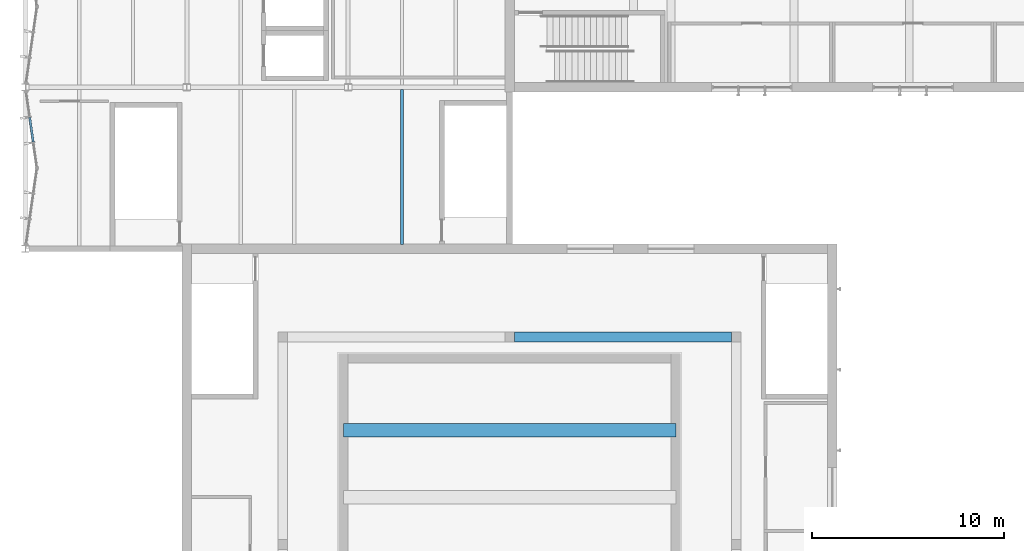
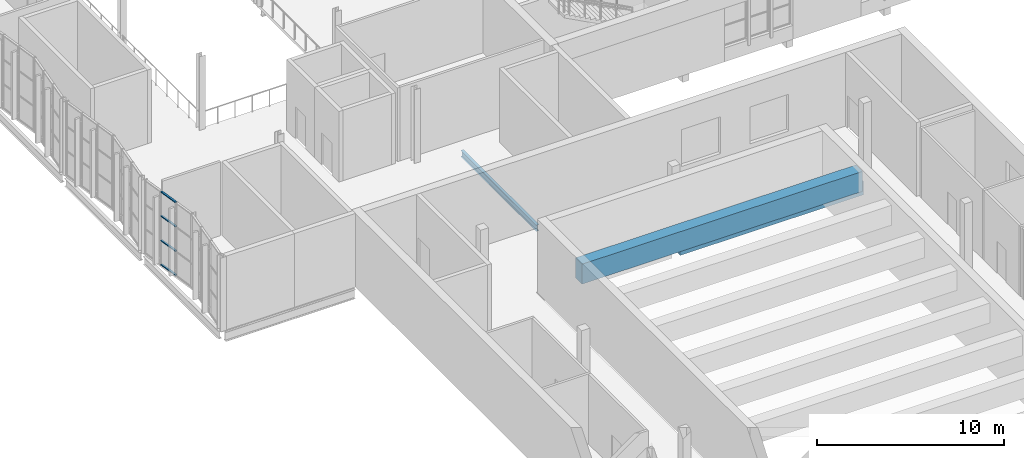
# One storey, part 19 of 116: 4 members, 3 beams, 1 element without a shape of its own.
"""IFC4 building model written with IfcOpenShell, lengths in metres."""

from ifc_helpers import new_model, si_unit, direction, frame, origin, origin_2d, place, context, subcontext, project, spatial, rectangle, i_section, extrude, material, material_profile, profile_set, type_object, element, aggregate, save


model = new_model("IFC4")

# Units and contexts
model_context = context("Model", 3, precision=1e-05, world=origin(), true_north=direction((0.0, 1.0)))
body_context = subcontext(model_context, "Body", "Model", "MODEL_VIEW")
ifc_project = project(units=[si_unit("LENGTHUNIT", "METRE"), si_unit("AREAUNIT", "SQUARE_METRE"), si_unit("VOLUMEUNIT", "CUBIC_METRE"), si_unit("PLANEANGLEUNIT", "RADIAN"), si_unit("MASSUNIT", "GRAM", prefix="KILO")], contexts=[model_context])

# Site, building, storey
site_placement = place(None, origin())
site = spatial("IfcSite", under=ifc_project, at=site_placement, CompositionType="ELEMENT")
building_placement = place(site_placement, origin())
building = spatial("IfcBuilding", under=site, at=building_placement, Name="Ljudholm Concert House", CompositionType="ELEMENT")
storey_placement = place(building_placement, frame((0.0, 0.0, 10.199951171875)))
storey = spatial("IfcBuildingStorey", under=building, at=storey_placement, Name="L02", CompositionType="ELEMENT", Elevation=10.199951171875)

# Beams
ifc_material_1 = material(Name="Concrete 6,500 psi", Category="concrete")
ifc_material_profile_1 = material_profile(ifc_material_1, rectangle(XDim=0.5, YDim=0.89990234375, at=origin_2d()), Name="RC BEAM 500x900")
ifc_profile_set_1 = profile_set([ifc_material_profile_1], Name="Concrete 6,500 psi")
beam_type_1 = type_object("IfcBeamType", Name="RC BEAM 500x900", PredefinedType="BEAM", material=ifc_profile_set_1)
beam_1_placement = place(storey_placement, frame((29.449951171875, 41.39990234375, -0.699951171875), z_axis=(1.0, 0.0, 0.0), x_axis=(0.0, 1.0, 0.0)))
element("IfcBeam", 1, at=beam_1_placement, inside=storey, type_object=beam_type_1, Name="Ring beam", PredefinedType="BEAM", context=body_context, shape_type="SweptSolid", body=[
    extrude(rectangle(XDim=0.5, YDim=0.89990234375, at=origin_2d()), origin(), (0.0, 0.0, 1.0), 11.300048828125),
])
ifc_material_2 = material(Name="Concrete 6,500 psi", Category="concrete")
ifc_material_profile_2 = material_profile(ifc_material_2, rectangle(XDim=0.699951171875, YDim=1.300048828125, at=origin_2d()), Name="RC BEAM 700x1300 BEAM")
ifc_profile_set_2 = profile_set([ifc_material_profile_2], Name="Concrete 6,500 psi")
beam_type_2 = type_object("IfcBeamType", Name="RC BEAM 700x1300 BEAM", PredefinedType="BEAM", material=ifc_profile_set_2)
beam_2_placement = place(storey_placement, frame((20.550048828125, 36.550048828125, 3.75), z_axis=(1.0, 0.0, 0.0), x_axis=(0.0, 1.0, 0.0)))
element("IfcBeam", 2, at=beam_2_placement, inside=storey, type_object=beam_type_2, Name="Post-tensioned roof girder", PredefinedType="BEAM", context=body_context, shape_type="SweptSolid", body=[
    extrude(rectangle(XDim=0.699951171875, YDim=1.300048828125, at=origin_2d()), origin(), (0.0, 0.0, 1.0), 17.300048828125),
])
ifc_material_3 = material(Name="Steel ASTM A992", Category="steel")
ifc_material_profile_3 = material_profile(ifc_material_3, i_section(OverallWidth=0.177734375, OverallDepth=0.406494140625, WebThickness=0.0078125, FlangeThickness=0.012939453125, FilletRadius=0.01025390625, at=origin_2d()), Name="W16X40")
ifc_profile_set_3 = profile_set([ifc_material_profile_3], Name="Steel ASTM A992")
beam_type_3 = type_object("IfcBeamType", Name="STEEL BEAM W16X40", PredefinedType="BEAM", material=ifc_profile_set_3)
beam_3_placement = place(storey_placement, frame((23.60009765625, 46.22509765625, -0.383056640625), z_axis=(0.0, 1.0, 0.0), x_axis=(-1.0, 0.0, 0.0)))
element("IfcBeam", 3, at=beam_3_placement, inside=storey, type_object=beam_type_3, Name="Secondary beam", PredefinedType="BEAM", context=body_context, shape_type="SweptSolid", body=[
    extrude(i_section(OverallWidth=0.177734375, OverallDepth=0.406494140625, WebThickness=0.0078125, FlangeThickness=0.012939453125, FilletRadius=0.01025390625, at=origin_2d()), origin(), (0.0, 0.0, 1.0), 8.060302734375),
])

# Curtain wall, members
ifc_material_4 = material(Name="Aluminium curtain wall with impact-rated laminated glass", Category="aluminium")
curtain_wall_type = type_object("IfcCurtainWallType", Name="CURTAIN WALL 1400", PredefinedType="NOTDEFINED", material=ifc_material_4)
curtain_wall_placement = place(storey_placement, origin())
curtain_wall = element("IfcCurtainWall", 4, at=curtain_wall_placement, inside=storey, type_object=curtain_wall_type, Name="Facade curtain wall", PredefinedType="NOTDEFINED")
ifc_material_5 = material(Name="Aluminium extrusion", Category="aluminium")
ifc_material_profile_4 = material_profile(ifc_material_5, rectangle(XDim=0.1201171875, YDim=0.06005859375, at=origin_2d()), Name="TRANSOM 60x120")
ifc_profile_set_4 = profile_set([ifc_material_profile_4], Name="Aluminium extrusion")
member_type = type_object("IfcMemberType", Name="TRANSOM 60x120", PredefinedType="USERDEFINED", material=ifc_profile_set_4)
member_1_placement = place(storey_placement, frame((4.40625, 51.55712890625, 0.030029296875), z_axis=(-0.141421356237, 0.989949493661, 0.0), x_axis=(-0.989949493661, -0.141421356237, 0.0)))
member_1 = element("IfcMember", 5, at=member_1_placement, type_object=member_type, Name="Transom", ObjectType="TRANSOM", PredefinedType="USERDEFINED", context=body_context, shape_type="SweptSolid", body=[
    extrude(rectangle(XDim=0.1201171875, YDim=0.06005859375, at=origin_2d()), origin(), (0.0, 0.0, 1.0), 1.281005859375),
])
member_2_placement = place(storey_placement, frame((4.40625, 51.55712890625, 1.60009765625), z_axis=(-0.141421356237, 0.989949493661, 0.0), x_axis=(-0.989949493661, -0.141421356237, 0.0)))
member_2 = element("IfcMember", 6, at=member_2_placement, type_object=member_type, Name="Transom", ObjectType="TRANSOM", PredefinedType="USERDEFINED", context=body_context, shape_type="SweptSolid", body=[
    extrude(rectangle(XDim=0.1201171875, YDim=0.06005859375, at=origin_2d()), origin(), (0.0, 0.0, 1.0), 1.281005859375),
])
member_3_placement = place(storey_placement, frame((4.40625, 51.55712890625, 3.199951171875), z_axis=(-0.141421356237, 0.989949493661, 0.0), x_axis=(-0.989949493661, -0.141421356237, 0.0)))
member_3 = element("IfcMember", 7, at=member_3_placement, type_object=member_type, Name="Transom", ObjectType="TRANSOM", PredefinedType="USERDEFINED", context=body_context, shape_type="SweptSolid", body=[
    extrude(rectangle(XDim=0.1201171875, YDim=0.06005859375, at=origin_2d()), origin(), (0.0, 0.0, 1.0), 1.281005859375),
])
member_4_placement = place(storey_placement, frame((4.40625, 51.55712890625, 4.77001953125), z_axis=(-0.141421356237, 0.989949493661, 0.0), x_axis=(-0.989949493661, -0.141421356237, 0.0)))
member_4 = element("IfcMember", 8, at=member_4_placement, type_object=member_type, Name="Transom", ObjectType="TRANSOM", PredefinedType="USERDEFINED", context=body_context, shape_type="SweptSolid", body=[
    extrude(rectangle(XDim=0.1201171875, YDim=0.06005859375, at=origin_2d()), origin(), (0.0, 0.0, 1.0), 1.281005859375),
])
aggregate(curtain_wall, [member_1, member_2, member_3, member_4])

save(model, "model.ifc")
